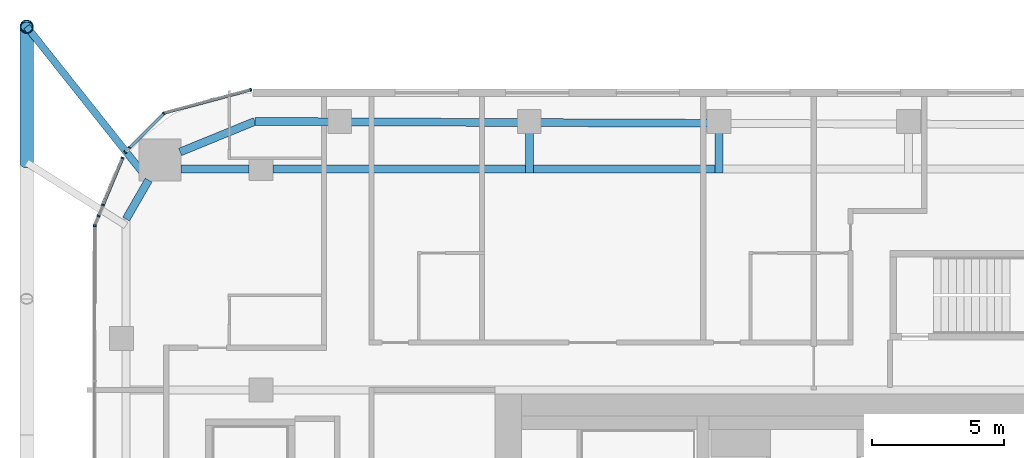
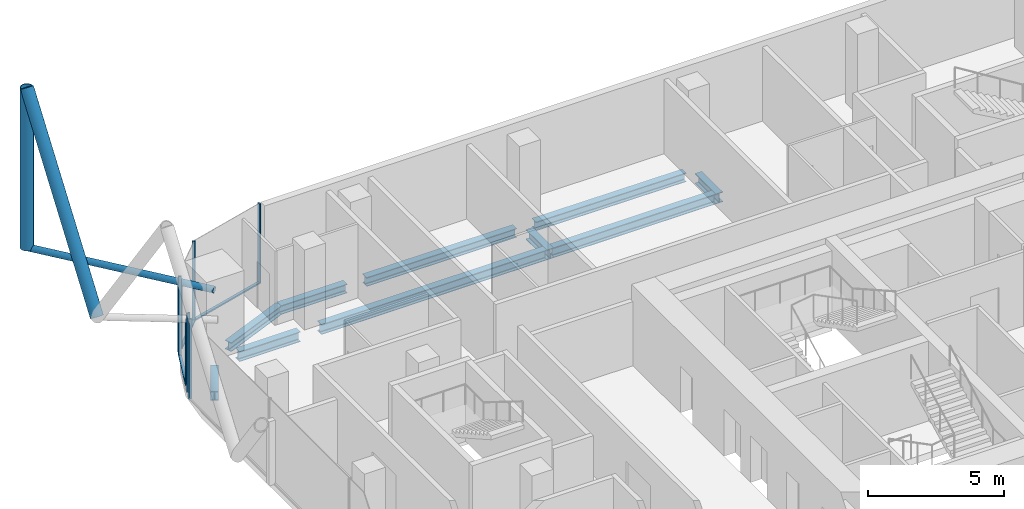
# One storey, part 11 of 36: 14 members, 10 beams, 7 elements without a shape of their own.
"""IFC4 building model written with IfcOpenShell, lengths in metres."""

from ifc_helpers import new_model, si_unit, direction, frame, origin, origin_2d, place, context, subcontext, project, spatial, rectangle, hollow_circle, i_section, extrude, material, layer, layer_set, material_profile, profile_set, type_object, element, aggregate, save


model = new_model("IFC4")

# Units and contexts
model_context = context("Model", 3, precision=1e-05, world=origin(), true_north=direction((0.0, 1.0)))
body_context = subcontext(model_context, "Body", "Model", "MODEL_VIEW")
ifc_project = project(units=[si_unit("LENGTHUNIT", "METRE"), si_unit("AREAUNIT", "SQUARE_METRE"), si_unit("VOLUMEUNIT", "CUBIC_METRE"), si_unit("PLANEANGLEUNIT", "RADIAN"), si_unit("MASSUNIT", "GRAM", prefix="KILO")], contexts=[model_context])

# Site, building, storey
site_placement = place(None, origin())
site = spatial("IfcSite", under=ifc_project, at=site_placement, CompositionType="ELEMENT")
building_placement = place(site_placement, origin())
building = spatial("IfcBuilding", under=site, at=building_placement, Name="Marenta Gate Hotel Tower", CompositionType="ELEMENT")
storey_placement = place(building_placement, frame((0.0, 0.0, 144.5)))
storey = spatial("IfcBuildingStorey", under=building, at=storey_placement, Name="L33", CompositionType="ELEMENT", Elevation=144.5)

# Members
ifc_material_1 = material(Name="Steel S355J2W", Category="steel")
ifc_material_profile_1 = material_profile(ifc_material_1, hollow_circle(Radius=0.25390625, WallThickness=0.02490234375, at=origin_2d()), Name="CHS 508x25")
ifc_profile_set_1 = profile_set([ifc_material_profile_1], Name="Steel S355J2W")
member_type_1 = type_object("IfcMemberType", Name="Diagrid corner post Z2 CHS 508x25", PredefinedType="POST", material=ifc_profile_set_1)
member_1_placement = place(storey_placement, frame((-29.89990234375, 30.60009765625, 3.139892578125), z_axis=(0.0, 0.0, 1.0), x_axis=(1.0, 0.0, 0.0)))
element("IfcMember", 1, at=member_1_placement, inside=storey, type_object=member_type_1, Name="L33-DR-6", PredefinedType="POST", context=body_context, shape_type="SweptSolid", body=[
    extrude(hollow_circle(Radius=0.25390625, WallThickness=0.02490234375, at=origin_2d()), origin(), (0.0, 0.0, 1.0), 7.2001953125),
])
ifc_material_2 = material(Name="Steel S355J2W", Category="steel")
ifc_material_profile_2 = material_profile(ifc_material_2, hollow_circle(Radius=0.25390625, WallThickness=0.0400390625, at=origin_2d()), Name="CHS 508x40")
ifc_profile_set_2 = profile_set([ifc_material_profile_2], Name="Steel S355J2W")
member_type_2 = type_object("IfcMemberType", Name="Diagrid diagonal Z2 CHS 508x40", PredefinedType="BRACE", material=ifc_profile_set_2)
member_2_placement = place(storey_placement, frame((-29.89990234375, 25.429931640625, 3.139892578125), z_axis=(0.0, 0.583265964901, 0.81228124082), x_axis=(-1.0, 0.0, 0.0)))
element("IfcMember", 2, at=member_2_placement, inside=storey, type_object=member_type_2, Name="L33-DG-34", PredefinedType="BRACE", context=body_context, shape_type="SweptSolid", body=[
    extrude(hollow_circle(Radius=0.25390625, WallThickness=0.0400390625, at=origin_2d()), origin(), (0.0, 0.0, 1.0), 8.8642578125),
])

# Beams
ifc_material_3 = material(Name="Steel S355", Category="steel")
ifc_material_profile_3 = material_profile(ifc_material_3, i_section(OverallWidth=0.300048828125, OverallDepth=0.39990234375, WebThickness=0.013427734375, FlangeThickness=0.02392578125, FilletRadius=0.027099609375, at=origin_2d()), Name="HEB 400")
ifc_profile_set_3 = profile_set([ifc_material_profile_3], Name="Steel S355")
beam_type_1 = type_object("IfcBeamType", Name="Edge beam HEB 400", PredefinedType="SPANDREL", material=ifc_profile_set_3)
beam_1_placement = place(storey_placement, frame((-26.121337890625, 23.291748046875, -0.4599609375), z_axis=(0.500015459501, 0.866016478054, 0.0), x_axis=(-0.866016478054, 0.500015459501, 0.0)))
element("IfcBeam", 3, at=beam_1_placement, inside=storey, type_object=beam_type_1, Name="L33-EB-11", PredefinedType="SPANDREL", context=body_context, shape_type="SweptSolid", body=[
    extrude(i_section(OverallWidth=0.300048828125, OverallDepth=0.39990234375, WebThickness=0.013427734375, FlangeThickness=0.02392578125, FilletRadius=0.027099609375, at=origin_2d()), origin(), (0.0, 0.0, 1.0), 1.70703125),
])
beam_2_placement = place(storey_placement, frame((-24.072509765625, 25.839111328125, -0.4599609375), z_axis=(0.925565978946, 0.378586342356, 0.0), x_axis=(-0.378586342356, 0.925565978946, 0.0)))
element("IfcBeam", 4, at=beam_2_placement, inside=storey, type_object=beam_type_1, Name="L33-EB-12", PredefinedType="SPANDREL", context=body_context, shape_type="SweptSolid", body=[
    extrude(i_section(OverallWidth=0.300048828125, OverallDepth=0.39990234375, WebThickness=0.013427734375, FlangeThickness=0.02392578125, FilletRadius=0.027099609375, at=origin_2d()), origin(), (0.0, 0.0, 1.0), 3.06640625),
])
beam_3_placement = place(storey_placement, frame((-21.234375, 27.0, -0.4599609375), z_axis=(0.999991706293, -0.004072756516, 0.0), x_axis=(0.004072756516, 0.999991706293, 0.0)))
element("IfcBeam", 5, at=beam_3_placement, inside=storey, type_object=beam_type_1, Name="L33-EB-13", PredefinedType="SPANDREL", context=body_context, shape_type="SweptSolid", body=[
    extrude(i_section(OverallWidth=0.300048828125, OverallDepth=0.39990234375, WebThickness=0.013427734375, FlangeThickness=0.02392578125, FilletRadius=0.027099609375, at=origin_2d()), origin(), (0.0, 0.0, 1.0), 2.8173828125),
])
beam_4_placement = place(storey_placement, frame((-17.596923828125, 26.985107421875, -0.4599609375), z_axis=(0.999991780748, -0.00405443424, 0.0), x_axis=(0.00405443424, 0.999991780748, 0.0)))
element("IfcBeam", 6, at=beam_4_placement, inside=storey, type_object=beam_type_1, Name="L33-EB-14", PredefinedType="SPANDREL", context=body_context, shape_type="SweptSolid", body=[
    extrude(i_section(OverallWidth=0.300048828125, OverallDepth=0.39990234375, WebThickness=0.013427734375, FlangeThickness=0.02392578125, FilletRadius=0.027099609375, at=origin_2d()), origin(), (0.0, 0.0, 1.0), 6.3828125),
])
beam_5_placement = place(storey_placement, frame((-10.39404296875, 26.955810546875, -0.4599609375), z_axis=(0.999991624297, -0.004092839529, 0.0), x_axis=(0.004092839529, 0.999991624297, 0.0)))
element("IfcBeam", 7, at=beam_5_placement, inside=storey, type_object=beam_type_1, Name="L33-EB-15", PredefinedType="SPANDREL", context=body_context, shape_type="SweptSolid", body=[
    extrude(i_section(OverallWidth=0.300048828125, OverallDepth=0.39990234375, WebThickness=0.013427734375, FlangeThickness=0.02392578125, FilletRadius=0.027099609375, at=origin_2d()), origin(), (0.0, 0.0, 1.0), 6.382568359375),
])

# Member
ifc_material_4 = material(Name="Steel S355J2W", Category="steel")
ifc_material_profile_4 = material_profile(ifc_material_4, hollow_circle(Radius=0.136474609375, WallThickness=0.012451171875, at=origin_2d()), Name="CHS 273x12.5")
ifc_profile_set_4 = profile_set([ifc_material_profile_4], Name="Steel S355J2W")
member_type_3 = type_object("IfcMemberType", Name="Floor tie CHS 273x12.5", PredefinedType="STRUT", material=ifc_profile_set_4)
member_3_placement = place(storey_placement, frame((-29.89990234375, 30.60009765625, 3.139892578125), z_axis=(0.622094046149, -0.782942525187, 0.0), x_axis=(0.782942525187, 0.622094046149, 0.0)))
element("IfcMember", 8, at=member_3_placement, inside=storey, type_object=member_type_3, Name="L33-DR-22", PredefinedType="STRUT", context=body_context, shape_type="SweptSolid", body=[
    extrude(hollow_circle(Radius=0.136474609375, WallThickness=0.012451171875, at=origin_2d()), origin(), (0.0, 0.0, 1.0), 7.43896484375),
])

# Beams
ifc_material_5 = material(Name="Steel S355", Category="steel")
ifc_material_profile_5 = material_profile(ifc_material_5, i_section(OverallWidth=0.300048828125, OverallDepth=0.449951171875, WebThickness=0.013916015625, FlangeThickness=0.02587890625, FilletRadius=0.027099609375, at=origin_2d()), Name="HEB 450")
ifc_profile_set_5 = profile_set([ifc_material_profile_5], Name="Steel S355")
beam_type_2 = type_object("IfcBeamType", Name="Girder HEB 450", PredefinedType="BEAM", material=ifc_profile_set_5)
beam_6_placement = place(storey_placement, frame((-24.035400390625, 25.199951171875, -0.485107421875), z_axis=(1.0, 0.0, 0.0), x_axis=(0.0, 1.0, 0.0)))
element("IfcBeam", 9, at=beam_6_placement, inside=storey, type_object=beam_type_2, Name="L33-GD-29", PredefinedType="BEAM", context=body_context, shape_type="SweptSolid", body=[
    extrude(i_section(OverallWidth=0.300048828125, OverallDepth=0.449951171875, WebThickness=0.013916015625, FlangeThickness=0.02587890625, FilletRadius=0.027099609375, at=origin_2d()), origin(), (0.0, 0.0, 1.0), 2.58544921875),
])
beam_7_placement = place(storey_placement, frame((-20.550048828125, 25.199951171875, -0.485107421875), z_axis=(1.0, 0.0, 0.0), x_axis=(0.0, 1.0, 0.0)))
element("IfcBeam", 10, at=beam_7_placement, inside=storey, type_object=beam_type_2, Name="L33-GD-30", PredefinedType="BEAM", context=body_context, shape_type="SweptSolid", body=[
    extrude(i_section(OverallWidth=0.300048828125, OverallDepth=0.449951171875, WebThickness=0.013916015625, FlangeThickness=0.02587890625, FilletRadius=0.027099609375, at=origin_2d()), origin(), (0.0, 0.0, 1.0), 9.595947265625),
])
beam_8_placement = place(storey_placement, frame((-10.654052734375, 25.199951171875, -0.485107421875), z_axis=(1.0, 0.0, 0.0), x_axis=(0.0, 1.0, 0.0)))
element("IfcBeam", 11, at=beam_8_placement, inside=storey, type_object=beam_type_2, Name="L33-GD-31", PredefinedType="BEAM", context=body_context, shape_type="SweptSolid", body=[
    extrude(i_section(OverallWidth=0.300048828125, OverallDepth=0.449951171875, WebThickness=0.013916015625, FlangeThickness=0.02587890625, FilletRadius=0.027099609375, at=origin_2d()), origin(), (0.0, 0.0, 1.0), 6.902587890625),
])
ifc_material_6 = material(Name="Steel S355", Category="steel")
ifc_material_profile_6 = material_profile(ifc_material_6, i_section(OverallWidth=0.300048828125, OverallDepth=0.449951171875, WebThickness=0.013916015625, FlangeThickness=0.02587890625, FilletRadius=0.027099609375, at=origin_2d()), Name="HEB 450")
ifc_profile_set_6 = profile_set([ifc_material_profile_6], Name="Steel S355")
beam_type_3 = type_object("IfcBeamType", Name="Girder bracket HEB 450", PredefinedType="BEAM", material=ifc_profile_set_6)
for number, where, z_axis, x_axis, name in (
    (12, (-10.80419921875, 25.050048828125, -0.485107421875), (0.0, 1.0, 0.0), (-1.0, 0.0, 0.0), "L33-GS-1"),
    (13, (-3.601318359375, 25.050048828125, -0.485107421875), (0.0, 1.0, 0.0), (-1.0, 0.0, 0.0), "L33-GS-2"),
):
    element("IfcBeam", number, at=place(storey_placement, frame(where, z_axis=z_axis, x_axis=x_axis)), inside=storey, type_object=beam_type_3, Name=name, PredefinedType="BEAM", context=body_context, shape_type="SweptSolid", body=[
        extrude(i_section(OverallWidth=0.300048828125, OverallDepth=0.449951171875, WebThickness=0.013916015625, FlangeThickness=0.02587890625, FilletRadius=0.027099609375, at=origin_2d()), origin(), (0.0, 0.0, 1.0), 1.5400390625),
    ])

# Curtain wall, member
ifc_material_7 = material(Name="Tinted insulated glass in bronze anodised frame", Category="glass")
ifc_layer = layer(ifc_material_7, 0.1201171875)
ifc_layer_set = layer_set([ifc_layer], Name="Tinted insulated glass in bronze anodised frame")
curtain_wall_type = type_object("IfcCurtainWallType", Name="Tower unitised curtain wall CW1", PredefinedType="NOTDEFINED", material=ifc_layer_set)
curtain_wall_1_placement = place(storey_placement, origin())
curtain_wall_1 = element("IfcCurtainWall", 14, at=curtain_wall_1_placement, inside=storey, type_object=curtain_wall_type, Name="CW1 run G00", PredefinedType="NOTDEFINED")
ifc_material_8 = material(Name="Bronze anodised aluminium", Category="aluminium")
ifc_material_profile_7 = material_profile(ifc_material_8, rectangle(XDim=0.1201171875, YDim=0.06005859375, at=origin_2d()), Name="Mullion CW1 60x120 bronze anodised aluminium")
ifc_profile_set_7 = profile_set([ifc_material_profile_7], Name="Bronze anodised aluminium")
member_type_4 = type_object("IfcMemberType", Name="Mullion CW1 60x120 bronze anodised aluminium", PredefinedType="MULLION", material=ifc_profile_set_7)
member_4_placement = place(storey_placement, frame((-21.385498046875, 28.203125, 0.0), z_axis=(0.0, 0.0, 1.0), x_axis=(0.258801234873, -0.96593059835, 0.0)))
member_4 = element("IfcMember", 15, at=member_4_placement, type_object=member_type_4, Name="CW1 mullion 1", PredefinedType="MULLION", context=body_context, shape_type="SweptSolid", body=[
    extrude(rectangle(XDim=0.1201171875, YDim=0.06005859375, at=origin_2d()), origin(), (0.0, 0.0, 1.0), 3.60009765625),
])

curtain_wall_2_placement = place(storey_placement, origin())
curtain_wall_2 = element("IfcCurtainWall", 16, at=curtain_wall_2_placement, inside=storey, type_object=curtain_wall_type, Name="CW1 run G01", PredefinedType="NOTDEFINED")
member_5_placement = place(storey_placement, frame((-24.68798828125, 27.302978515625, 0.0), z_axis=(0.0, 0.0, 1.0), x_axis=(0.707106781187, -0.707106781187, 0.0)))
member_5 = element("IfcMember", 17, at=member_5_placement, type_object=member_type_4, Name="CW1 mullion 1", PredefinedType="MULLION", context=body_context, shape_type="SweptSolid", body=[
    extrude(rectangle(XDim=0.1201171875, YDim=0.06005859375, at=origin_2d()), origin(), (0.0, 0.0, 1.0), 3.60009765625),
])

# Curtain wall, members
curtain_wall_3_placement = place(storey_placement, origin())
curtain_wall_3 = element("IfcCurtainWall", 18, at=curtain_wall_3_placement, inside=storey, type_object=curtain_wall_type, Name="CW1 run G02", PredefinedType="NOTDEFINED")
member_6_placement = place(storey_placement, frame((-25.992431640625, 25.998291015625, 0.0), z_axis=(0.0, 0.0, 1.0), x_axis=(0.707106781187, -0.707106781187, 0.0)))
member_6 = element("IfcMember", 19, at=member_6_placement, type_object=member_type_4, Name="CW1 mullion 1", PredefinedType="MULLION", context=body_context, shape_type="SweptSolid", body=[
    extrude(rectangle(XDim=0.1201171875, YDim=0.06005859375, at=origin_2d()), origin(), (0.0, 0.0, 1.0), 3.00048828125),
])
member_7_placement = place(storey_placement, frame((-26.151123046875, 25.839599609375, 0.0), z_axis=(0.0, 0.0, 1.0), x_axis=(0.707106781187, -0.707106781187, 0.0)))
member_7 = element("IfcMember", 20, at=member_7_placement, type_object=member_type_4, Name="CW1 mullion 2", PredefinedType="MULLION", context=body_context, shape_type="SweptSolid", body=[
    extrude(rectangle(XDim=0.1201171875, YDim=0.06005859375, at=origin_2d()), origin(), (0.0, 0.0, 1.0), 3.00048828125),
])
aggregate(curtain_wall_3, [member_6, member_7])

# Curtain wall, member
curtain_wall_4_placement = place(storey_placement, origin())
curtain_wall_4 = element("IfcCurtainWall", 21, at=curtain_wall_4_placement, inside=storey, type_object=curtain_wall_type, Name="CW1 run G03", PredefinedType="NOTDEFINED")
member_8_placement = place(storey_placement, frame((-26.25830078125, 25.610595703125, 0.0), z_axis=(0.0, 0.0, 1.0), x_axis=(0.923875335632, -0.382693564371, 0.0)))
member_8 = element("IfcMember", 22, at=member_8_placement, type_object=member_type_4, Name="CW1 mullion 1", PredefinedType="MULLION", context=body_context, shape_type="SweptSolid", body=[
    extrude(rectangle(XDim=0.1201171875, YDim=0.06005859375, at=origin_2d()), origin(), (0.0, 0.0, 1.0), 3.60009765625),
])

curtain_wall_5_placement = place(storey_placement, origin())
curtain_wall_5 = element("IfcCurtainWall", 23, at=curtain_wall_5_placement, inside=storey, type_object=curtain_wall_type, Name="CW1 run G04", PredefinedType="NOTDEFINED")
member_9_placement = place(storey_placement, frame((-26.996826171875, 23.827880859375, 0.0), z_axis=(0.0, 0.0, 1.0), x_axis=(0.923815303293, -0.382838458625, 0.0)))
member_9 = element("IfcMember", 24, at=member_9_placement, type_object=member_type_4, Name="CW1 mullion 1", PredefinedType="MULLION", context=body_context, shape_type="SweptSolid", body=[
    extrude(rectangle(XDim=0.1201171875, YDim=0.06005859375, at=origin_2d()), origin(), (0.0, 0.0, 1.0), 3.00048828125),
])
aggregate(curtain_wall_5, [member_9])

curtain_wall_6_placement = place(storey_placement, origin())
curtain_wall_6 = element("IfcCurtainWall", 25, at=curtain_wall_6_placement, inside=storey, type_object=curtain_wall_type, Name="CW1 run G05", PredefinedType="NOTDEFINED")
member_10_placement = place(storey_placement, frame((-27.1728515625, 23.4033203125, 0.0), z_axis=(0.0, 0.0, 1.0), x_axis=(0.923973627119, -0.382456188848, 0.0)))
member_10 = element("IfcMember", 26, at=member_10_placement, type_object=member_type_4, Name="CW1 mullion 1", PredefinedType="MULLION", context=body_context, shape_type="SweptSolid", body=[
    extrude(rectangle(XDim=0.1201171875, YDim=0.06005859375, at=origin_2d()), origin(), (0.0, 0.0, 1.0), 3.60009765625),
])
aggregate(curtain_wall_6, [member_10])

curtain_wall_7_placement = place(storey_placement, origin())
curtain_wall_7 = element("IfcCurtainWall", 27, at=curtain_wall_7_placement, inside=storey, type_object=curtain_wall_type, Name="CW1 run G06", PredefinedType="NOTDEFINED")
member_11_placement = place(storey_placement, frame((-27.312255859375, 23.0361328125, 0.0), z_axis=(0.0, 0.0, 1.0), x_axis=(0.999998768051, -0.001569680138, 0.0)))
member_11 = element("IfcMember", 28, at=member_11_placement, type_object=member_type_4, Name="CW1 mullion 1", PredefinedType="MULLION", context=body_context, shape_type="SweptSolid", body=[
    extrude(rectangle(XDim=0.1201171875, YDim=0.06005859375, at=origin_2d()), origin(), (0.0, 0.0, 1.0), 3.60009765625),
])
aggregate(curtain_wall_7, [member_11])

# Member
ifc_material_9 = material(Name="Bronze anodised aluminium", Category="aluminium")
ifc_material_profile_8 = material_profile(ifc_material_9, rectangle(XDim=0.1201171875, YDim=0.06005859375, at=origin_2d()), Name="Transom CW1 60x120 bronze anodised aluminium")
ifc_profile_set_8 = profile_set([ifc_material_profile_8], Name="Bronze anodised aluminium")
member_type_5 = type_object("IfcMemberType", Name="Transom CW1 60x120 bronze anodised aluminium", PredefinedType="USERDEFINED", material=ifc_profile_set_8)
member_12_placement = place(storey_placement, frame((-21.41455078125, 28.195556640625, 0.030029296875), z_axis=(-0.965932192411, -0.258795285243, 0.0), x_axis=(0.258795285243, -0.965932192411, 0.0)))
member_12 = element("IfcMember", 29, at=member_12_placement, type_object=member_type_5, Name="CW1 transom 1.1", ObjectType="TRANSOM", PredefinedType="USERDEFINED", context=body_context, shape_type="SweptSolid", body=[
    extrude(rectangle(XDim=0.1201171875, YDim=0.06005859375, at=origin_2d()), origin(), (0.0, 0.0, 1.0), 3.366943359375),
])

aggregate(curtain_wall_1, [member_4, member_12])

member_13_placement = place(storey_placement, frame((-24.709228515625, 27.28173828125, 0.030029296875), z_axis=(-0.707038385696, -0.707175170062, 0.0), x_axis=(0.707175170062, -0.707038385696, 0.0)))
member_13 = element("IfcMember", 30, at=member_13_placement, type_object=member_type_5, Name="CW1 transom 1.1", ObjectType="TRANSOM", PredefinedType="USERDEFINED", context=body_context, shape_type="SweptSolid", body=[
    extrude(rectangle(XDim=0.1201171875, YDim=0.06005859375, at=origin_2d()), origin(), (0.0, 0.0, 1.0), 1.784912109375),
])

aggregate(curtain_wall_2, [member_5, member_13])

member_14_placement = place(storey_placement, frame((-26.269775390625, 25.582763671875, 0.030029296875), z_axis=(-0.38277854418, -0.923840130171, 0.0), x_axis=(0.923840130171, -0.38277854418, 0.0)))
member_14 = element("IfcMember", 31, at=member_14_placement, type_object=member_type_5, Name="CW1 transom 1.1", ObjectType="TRANSOM", PredefinedType="USERDEFINED", context=body_context, shape_type="SweptSolid", body=[
    extrude(rectangle(XDim=0.1201171875, YDim=0.06005859375, at=origin_2d()), origin(), (0.0, 0.0, 1.0), 1.869384765625),
])

aggregate(curtain_wall_4, [member_8, member_14])

save(model, "model.ifc")
